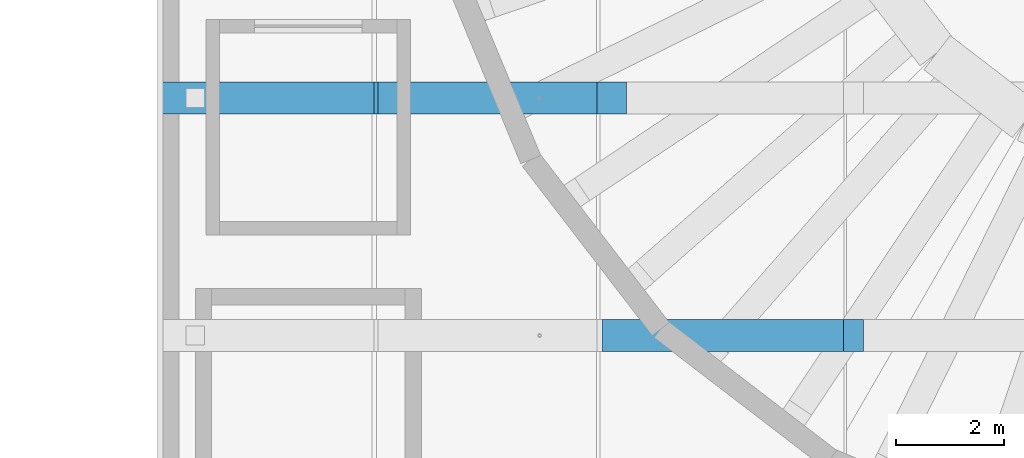
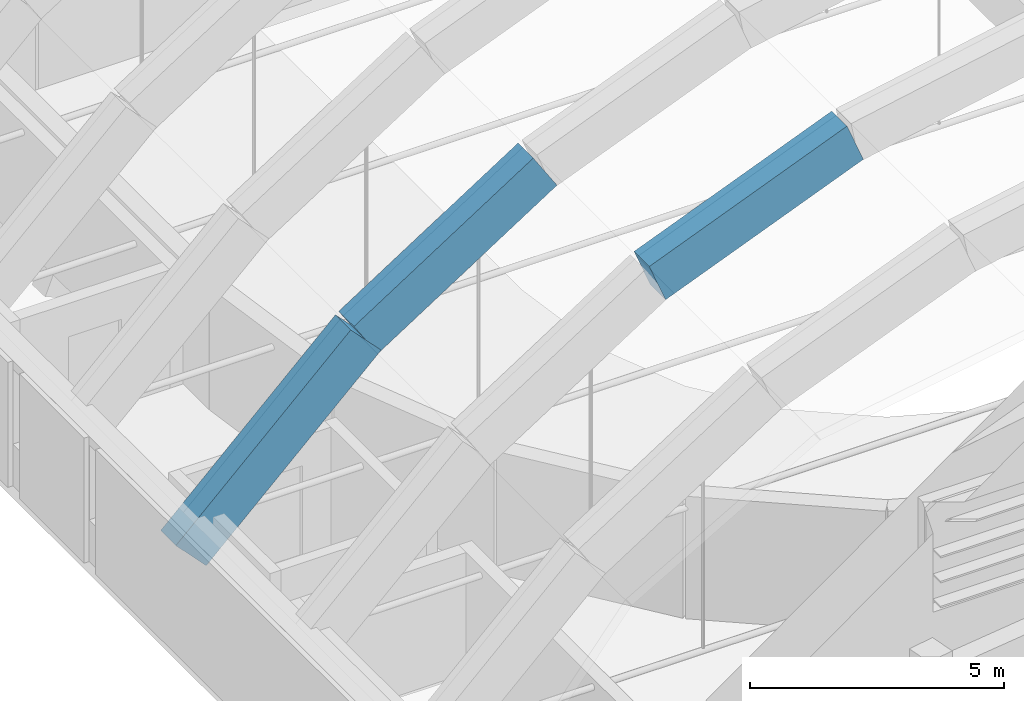
# One storey, part 14 of 94: 3 beams.
"""IFC4 building model written with IfcOpenShell, lengths in metres."""

from ifc_helpers import new_model, si_unit, direction, frame, origin, origin_2d, place, context, subcontext, project, spatial, rectangle, extrude, material, material_profile, profile_set, type_object, element, save


model = new_model("IFC4")

# Units and contexts
model_context = context("Model", 3, precision=1e-05, world=origin(), true_north=direction((0.0, 1.0)))
body_context = subcontext(model_context, "Body", "Model", "MODEL_VIEW")
ifc_project = project(units=[si_unit("LENGTHUNIT", "METRE"), si_unit("AREAUNIT", "SQUARE_METRE"), si_unit("VOLUMEUNIT", "CUBIC_METRE"), si_unit("PLANEANGLEUNIT", "RADIAN"), si_unit("MASSUNIT", "GRAM", prefix="KILO")], contexts=[model_context])

# Site, building, storey
site_placement = place(None, origin())
site = spatial("IfcSite", under=ifc_project, at=site_placement, CompositionType="ELEMENT")
building_placement = place(site_placement, origin())
building = spatial("IfcBuilding", under=site, at=building_placement, Name="Lunette Opera House", CompositionType="ELEMENT")
storey_placement = place(building_placement, frame((0.0, 0.0, 22.5)))
storey = spatial("IfcBuildingStorey", under=building, at=storey_placement, Name="L04", CompositionType="ELEMENT", Elevation=22.5)

# Beams
ifc_material = material(Name="Concrete C40/50", Category="concrete")
ifc_material_profile = material_profile(ifc_material, rectangle(XDim=0.60009765625, YDim=1.0, at=origin_2d()), Name="ARCH BEAM 600X1000")
ifc_profile_set = profile_set([ifc_material_profile], Name="Concrete C40/50")
beam_type = type_object("IfcBeamType", Name="ARCH BEAM 600X1000", PredefinedType="BEAM", material=ifc_profile_set)
beam_1_placement = place(storey_placement, frame((84.340087890625, 73.12890625, 8.548095703125), z_axis=(0.92830257193, 0.0, 0.371825678172), x_axis=(0.0, 1.0, 0.0)))
element("IfcBeam", 1, at=beam_1_placement, inside=storey, type_object=beam_type, Name="beam-AU-L04-EA3-3", PredefinedType="BEAM", context=body_context, shape_type="SweptSolid", body=[
    extrude(rectangle(XDim=0.60009765625, YDim=1.0, at=origin_2d()), origin(), (0.0, 0.0, 1.0), 4.837890625),
])
beam_2_placement = place(storey_placement, frame((76.300048828125, 77.54296875, 2.14501953125), z_axis=(0.723596948656, 0.0, 0.69022275817), x_axis=(0.0, 1.0, 0.0)))
element("IfcBeam", 2, at=beam_2_placement, inside=storey, type_object=beam_type, Name="beam-AU-L04-EA4-1", PredefinedType="BEAM", context=body_context, shape_type="SweptSolid", body=[
    extrude(rectangle(XDim=0.60009765625, YDim=1.0, at=origin_2d()), origin(), (0.0, 0.0, 1.0), 5.486328125),
])
beam_3_placement = place(storey_placement, frame((80.27001953125, 77.54296875, 5.931884765625), z_axis=(0.84120306647, 0.0, 0.54071933659), x_axis=(0.0, 1.0, 0.0)))
element("IfcBeam", 3, at=beam_3_placement, inside=storey, type_object=beam_type, Name="beam-AU-L04-EA4-2", PredefinedType="BEAM", context=body_context, shape_type="SweptSolid", body=[
    extrude(rectangle(XDim=0.60009765625, YDim=1.0, at=origin_2d()), origin(), (0.0, 0.0, 1.0), 4.83837890625),
])

save(model, "model.ifc")
